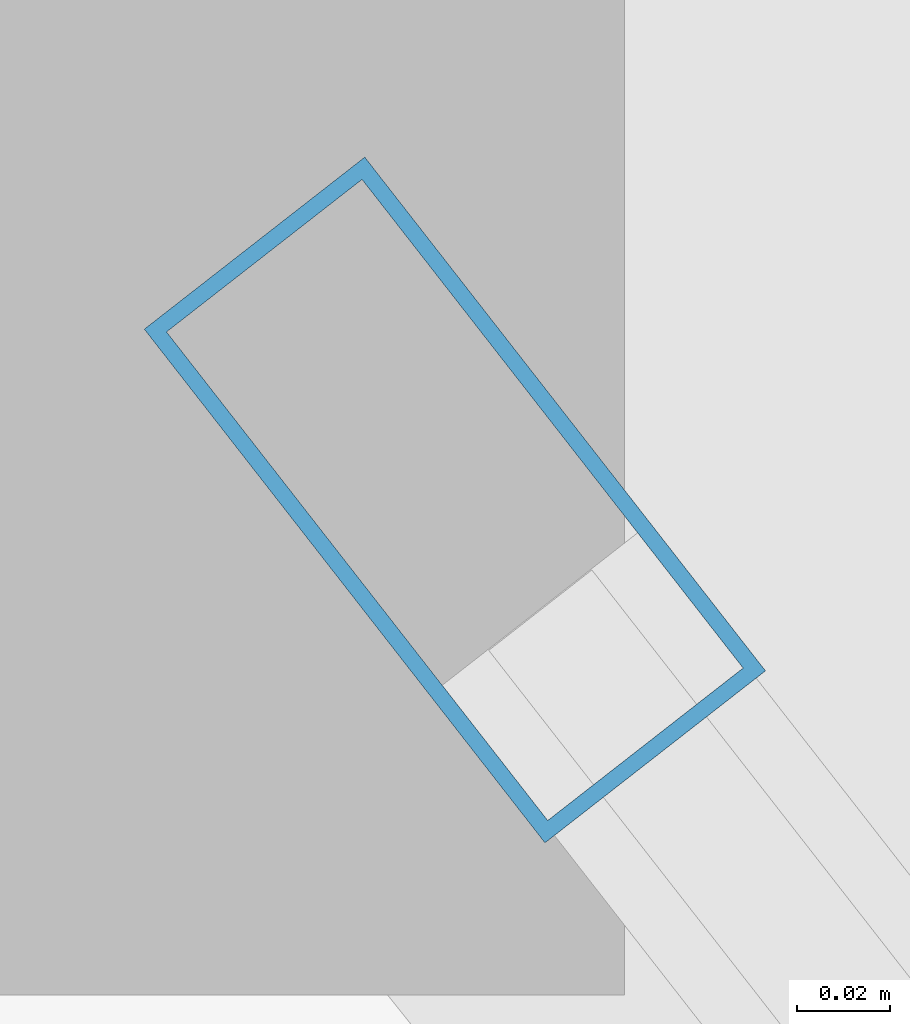
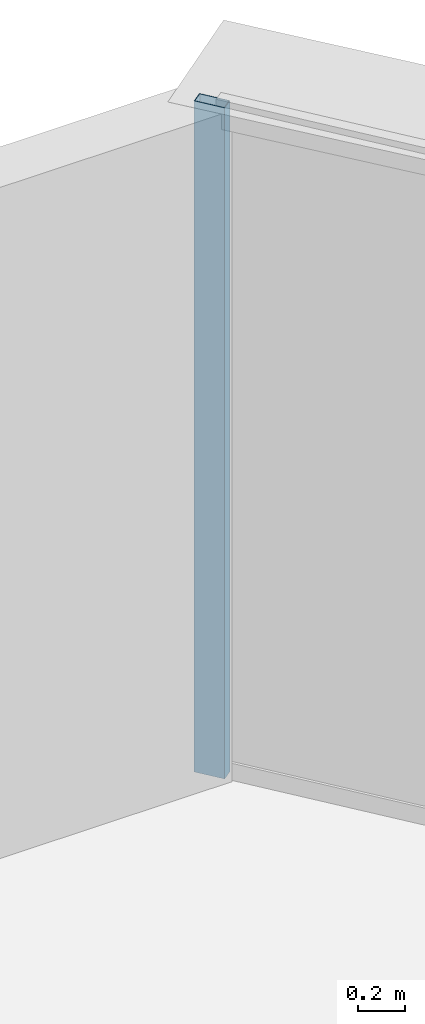
# One storey, part 24 of 36: 1 member, 1 element without a shape of its own.
"""IFC4 building model written with IfcOpenShell, lengths in metres."""

import ifcopenshell
import ifcopenshell.guid

model = None  # the IFC model being written
_history = None  # IfcOwnerHistory: only IFC2X3 demands one
_inside = {}  # id of a spatial element -> (the spatial element, [elements in it])
_under = {}  # id of a project, library or spatial element -> (it, [spatial elements below it])
_declared = {}  # id of a project -> (the project, [libraries it declares])
_typed = {}  # id of a type object -> (the type object, [elements of that type])
_made_of = {}  # id of a material, layer set ... -> (it, [elements and type objects made of it])


def new_model(schema):
    """Start an empty IFC model of exactly this schema.

    Asked for "IFC4X3", IfcOpenShell would pick the latest addendum, in which some entities
    have other attributes; the version numbers below select the first issue.
    IFC2X3 requires an IfcOwnerHistory on every rooted entity: one is made here for all.
    """
    global model, _history
    if schema == "IFC4X3":
        model = ifcopenshell.file(schema_version=(4, 3, 0, 0))
    else:
        model = ifcopenshell.file(schema=schema)
    _inside.clear()
    _under.clear()
    _declared.clear()
    _typed.clear()
    _made_of.clear()
    _history = None
    if model.schema == "IFC2X3":
        org = make("IfcOrganization", Name="unknown")
        user = make(
            "IfcPersonAndOrganization",
            ThePerson=make("IfcPerson", FamilyName="unknown"),
            TheOrganization=org,
        )
        app = make(
            "IfcApplication",
            ApplicationDeveloper=org,
            Version="unknown",
            ApplicationFullName="unknown",
            ApplicationIdentifier="unknown",
        )
        _history = make(
            "IfcOwnerHistory",
            OwningUser=user,
            OwningApplication=app,
            ChangeAction="ADDED",
            CreationDate=0,
        )
    return model


def make(cls, **values):
    """One entity of the class cls with the attributes given. An attribute that is None is left unset."""
    return model.create_entity(
        cls, **{name: value for name, value in values.items() if value is not None}
    )


def rooted(cls, **values):
    """An entity with a GlobalId (a new one), such as an element, a storey or a relation."""
    return make(cls, GlobalId=ifcopenshell.guid.new(), OwnerHistory=_history, **values)


def si_unit(unit_type, name, prefix=None):
    """IfcSIUnit, for example si_unit("LENGTHUNIT", "METRE", prefix="MILLI")."""
    return make("IfcSIUnit", UnitType=unit_type, Prefix=prefix, Name=name)


def assignment(units):
    """IfcUnitAssignment: the units of a project."""
    return None if units is None else make("IfcUnitAssignment", Units=units)


def point(xyz):
    """IfcCartesianPoint."""
    return None if xyz is None else make("IfcCartesianPoint", Coordinates=xyz)


def direction(xyz):
    """IfcDirection."""
    return None if xyz is None else make("IfcDirection", DirectionRatios=xyz)


def frame(location, z_axis=None, x_axis=None):
    """IfcAxis2Placement3D, a coordinate frame: its origin and axes. An axis left out is left unset."""
    return make(
        "IfcAxis2Placement3D",
        Location=point(location),
        Axis=direction(z_axis),
        RefDirection=direction(x_axis),
    )


def frame_2d(location, x_axis=None):
    """IfcAxis2Placement2D, a coordinate frame in the plane: its origin and x axis."""
    return make(
        "IfcAxis2Placement2D", Location=point(location), RefDirection=direction(x_axis)
    )


def origin():
    """The frame at (0, 0, 0) with its axes left unset."""
    return frame((0.0, 0.0, 0.0))


def origin_2d():
    """The frame at (0, 0) in the plane with its x axis left unset."""
    return frame_2d((0.0, 0.0))


def place(relative_to, where):
    """IfcLocalPlacement: puts the frame where relative to a parent placement (None: the world)."""
    return make(
        "IfcLocalPlacement", PlacementRelTo=relative_to, RelativePlacement=where
    )


def context(
    kind, dimensions, precision=None, world=None, true_north=None, identifier=None
):
    """IfcGeometricRepresentationContext, for example the 3D "Model" context."""
    return make(
        "IfcGeometricRepresentationContext",
        ContextIdentifier=identifier,
        ContextType=kind,
        CoordinateSpaceDimension=dimensions,
        Precision=precision,
        WorldCoordinateSystem=world,
        TrueNorth=true_north,
    )


def subcontext(parent, identifier, kind, view, scale=None):
    """IfcGeometricRepresentationSubContext, for example "Body" below "Model"."""
    return make(
        "IfcGeometricRepresentationSubContext",
        ContextIdentifier=identifier,
        ContextType=kind,
        ParentContext=parent,
        TargetScale=scale,
        TargetView=view,
    )


def project(units=None, contexts=None):
    """IfcProject with its units and contexts."""
    return rooted(
        "IfcProject",
        Name="project",
        RepresentationContexts=contexts,
        UnitsInContext=assignment(units),
    )


def spatial(cls, under=None, at=None, **own):
    """A site, building, storey or space (cls), placed at a placement, below another one or the project."""
    s = rooted(cls, ObjectPlacement=at, **own)
    if under is not None:
        _under.setdefault(under.id(), (under, []))[1].append(s)
    return s


def profile(cls, at=None, kind="AREA", **sizes):
    """A parametric profile (cls). Its sizes go by their IFC names, for example OverallWidth=200.0."""
    return make(cls, ProfileType=kind, Position=at, **sizes)


def hollow_rectangle(**sizes):
    """IfcRectangleHollowProfileDef."""
    return profile("IfcRectangleHollowProfileDef", **sizes)


def extrude(swept, where, along, depth):
    """IfcExtrudedAreaSolid: the profile swept, set in the frame where, extruded along a direction by depth."""
    return make(
        "IfcExtrudedAreaSolid",
        SweptArea=swept,
        Position=where,
        ExtrudedDirection=direction(along),
        Depth=depth,
    )


def shape(context_of_items, identifier, shape_type, items):
    """IfcShapeRepresentation: the items that make up one representation, for example the "Body"."""
    return make(
        "IfcShapeRepresentation",
        ContextOfItems=context_of_items,
        RepresentationIdentifier=identifier,
        RepresentationType=shape_type,
        Items=items,
    )


def source(mapping_origin, context_of_items, identifier, shape_type, items):
    """IfcRepresentationMap: a shape defined once, which mapped items show again and again."""
    return make(
        "IfcRepresentationMap",
        MappingOrigin=mapping_origin,
        MappedRepresentation=shape(context_of_items, identifier, shape_type, items),
    )


def transform(
    local_origin,
    x_axis=None,
    y_axis=None,
    z_axis=None,
    scale=None,
    scale2=None,
    scale3=None,
    uniform=True,
):
    """IfcCartesianTransformationOperator3D, or its non-uniform kind. x_axis, y_axis, z_axis: its Axis1, 2, 3."""
    if uniform:
        return make(
            "IfcCartesianTransformationOperator3D",
            Axis1=direction(x_axis),
            Axis2=direction(y_axis),
            LocalOrigin=point(local_origin),
            Scale=scale,
            Axis3=direction(z_axis),
        )
    return make(
        "IfcCartesianTransformationOperator3DnonUniform",
        Axis1=direction(x_axis),
        Axis2=direction(y_axis),
        LocalOrigin=point(local_origin),
        Scale=scale,
        Axis3=direction(z_axis),
        Scale2=scale2,
        Scale3=scale3,
    )


def mapped(mapping_source, mapping_target):
    """IfcMappedItem: shows the shape of a source again, moved by a transform."""
    return make(
        "IfcMappedItem", MappingSource=mapping_source, MappingTarget=mapping_target
    )


def material(Name=None, Category=None):
    """IfcMaterial."""
    return make("IfcMaterial", Name=Name, Category=Category)


def layer(
    of_material, thickness, ventilated=None, Name=None, Category=None, Priority=None
):
    """IfcMaterialLayer: one layer of a wall or slab, of a material (None: an air gap)."""
    return make(
        "IfcMaterialLayer",
        Material=of_material,
        LayerThickness=thickness,
        IsVentilated=ventilated,
        Name=Name,
        Category=Category,
        Priority=Priority,
    )


def layer_set(layers, Name=None):
    """IfcMaterialLayerSet."""
    return make("IfcMaterialLayerSet", MaterialLayers=layers, LayerSetName=Name)


def material_profile(
    of_material, cross_section, Name=None, Category=None, Priority=None
):
    """IfcMaterialProfile: a cross section and its material."""
    return make(
        "IfcMaterialProfile",
        Name=Name,
        Material=of_material,
        Profile=cross_section,
        Priority=Priority,
        Category=Category,
    )


def profile_set(profiles, Name=None, composite=None):
    """IfcMaterialProfileSet."""
    return make(
        "IfcMaterialProfileSet",
        Name=Name,
        MaterialProfiles=profiles,
        CompositeProfile=composite,
    )


def made_of(thing, what):
    """Note that an element or type object is made of a material, layer set ...; save() writes the relation."""
    if what is not None:
        _made_of.setdefault(what.id(), (what, []))[1].append(thing)
    return thing


def type_object(cls, material=None, **own):
    """A type object (cls), such as IfcWallType, which elements share."""
    return made_of(rooted(cls, **own), material)


def element(
    cls,
    number,
    at=None,
    inside=None,
    cuts=None,
    type_object=None,
    material=None,
    context=None,
    identifier="Body",
    shape_type=None,
    held_by="IfcProductDefinitionShape",
    body=None,
    shapes=None,
    **own,
):
    """One element of the class cls, such as IfcWall. Its Tag is "e" and its number.

    at: its placement. inside: the storey or other place that contains it. cuts: it is an
    opening in that element (IfcRelVoidsElement). A single representation is given by context,
    identifier, shape_type and body (its items); several are given by shapes. held_by: the class
    of the entity that holds the representations. save() writes the other relations.
    """
    e = rooted(cls, Tag="e%d" % number, ObjectPlacement=at, **own)
    if body is not None:
        shapes = [shape(context, identifier, shape_type, body)]
    if shapes is not None:
        e.Representation = make(held_by, Representations=shapes)
    if inside is not None:
        _inside.setdefault(inside.id(), (inside, []))[1].append(e)
    if cuts is not None:
        rooted(
            "IfcRelVoidsElement", RelatingBuildingElement=cuts, RelatedOpeningElement=e
        )
    if type_object is not None:
        _typed.setdefault(type_object.id(), (type_object, []))[1].append(e)
    return made_of(e, material)


def aggregate(whole, parts):
    """IfcRelAggregates: a whole, such as a stair, and the parts it consists of."""
    return rooted("IfcRelAggregates", RelatingObject=whole, RelatedObjects=parts)


def save(model, path):
    """Write the relations noted so far, then the file.

    IfcRelAggregates (storeys below a building ...), IfcRelContainedInSpatialStructure (elements
    in a storey), IfcRelDefinesByType, IfcRelAssociatesMaterial and IfcRelDeclares: one each for
    every whole, place, type object, material and project.
    """
    for whole, parts in _under.values():
        aggregate(whole, parts)
    for where, things in _inside.values():
        rooted(
            "IfcRelContainedInSpatialStructure",
            RelatedElements=things,
            RelatingStructure=where,
        )
    for kind, things in _typed.values():
        rooted("IfcRelDefinesByType", RelatedObjects=things, RelatingType=kind)
    for what, things in _made_of.values():
        rooted("IfcRelAssociatesMaterial", RelatedObjects=things, RelatingMaterial=what)
    for by, libraries in _declared.values():
        rooted("IfcRelDeclares", RelatingContext=by, RelatedDefinitions=libraries)
    model.write(path)


model = new_model("IFC4")

# Units and contexts
model_context = context("Model", 3, precision=1e-05, world=origin(), true_north=direction((0.0, 1.0)))
body_context = subcontext(model_context, "Body", "Model", "MODEL_VIEW")
ifc_project = project(units=[si_unit("LENGTHUNIT", "METRE"), si_unit("AREAUNIT", "SQUARE_METRE"), si_unit("VOLUMEUNIT", "CUBIC_METRE"), si_unit("PLANEANGLEUNIT", "RADIAN"), si_unit("MASSUNIT", "GRAM", prefix="KILO"), si_unit("THERMODYNAMICTEMPERATUREUNIT", "KELVIN"), si_unit("POWERUNIT", "WATT")], contexts=[model_context])

# Site, building, storey
site_placement = place(None, origin())
site = spatial("IfcSite", under=ifc_project, at=site_placement, CompositionType="ELEMENT")
building_placement = place(site_placement, origin())
building = spatial("IfcBuilding", under=site, at=building_placement, Name="Yunzhuo Pagoda Commons", CompositionType="ELEMENT")
storey_placement = place(building_placement, frame((0.0, 0.0, 263.179931640625)))
storey = spatial("IfcBuildingStorey", under=building, at=storey_placement, Name="L66", CompositionType="ELEMENT", Elevation=263.179931640625)

# Curtain wall, member
ifc_material = material(Name="Anodized aluminium 6063-T6", Category="aluminium")
ifc_layer = layer(ifc_material, 0.139892578125)
ifc_layer_set = layer_set([ifc_layer], Name="Anodized aluminium 6063-T6")
curtain_wall_type = type_object("IfcCurtainWallType", Name="CW-HI High-Zone Ribbon Curtain Wall", PredefinedType="NOTDEFINED", material=ifc_layer_set)
curtain_wall_placement = place(storey_placement, origin())
curtain_wall = element("IfcCurtainWall", 1, at=curtain_wall_placement, inside=storey, type_object=curtain_wall_type, Name="L66 curtain wall CW-L66-F2B5", PredefinedType="NOTDEFINED")
ifc_material_profile = material_profile(ifc_material, hollow_rectangle(XDim=0.06005859375, YDim=0.139892578125, WallThickness=0.00341796875, at=origin_2d()), Name="Anodized aluminium 6063-T6")
ifc_profile_set = profile_set([ifc_material_profile], Name="Anodized aluminium 6063-T6")
member_type = type_object("IfcMemberType", Name="CW-HI-M Mullion RHS 140x60x3.5", PredefinedType="MULLION", material=ifc_profile_set)
shared_shape = source(origin(), body_context, "Body", "SweptSolid", [
    extrude(hollow_rectangle(XDim=0.06005859375, YDim=0.139892578125, WallThickness=0.00341796875, at=origin_2d()), origin(), (0.0, 0.0, 1.0), 3.469970703125),
])
member_placement = place(storey_placement, frame((51.69287109375, 77.771240234375, 0.0), z_axis=(0.0, 0.0, 1.0), x_axis=(-0.788480008462, -0.615060384235, 0.0)))
member = element("IfcMember", 2, at=member_placement, type_object=member_type, Name="CW mullion 2", PredefinedType="MULLION", context=body_context, shape_type="MappedRepresentation", body=[
    mapped(shared_shape, transform((0.0, 0.0, 0.0), scale=1.0)),
])
aggregate(curtain_wall, [member])

save(model, "model.ifc")
